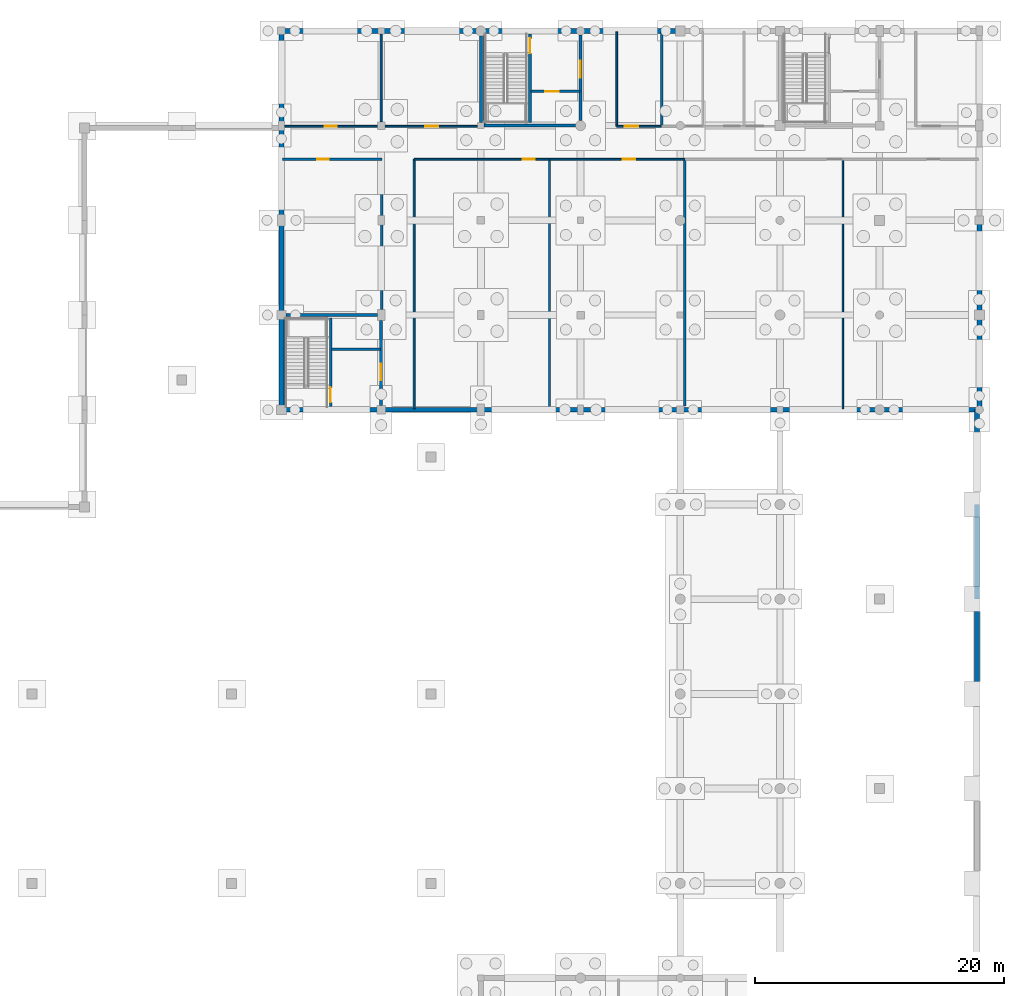
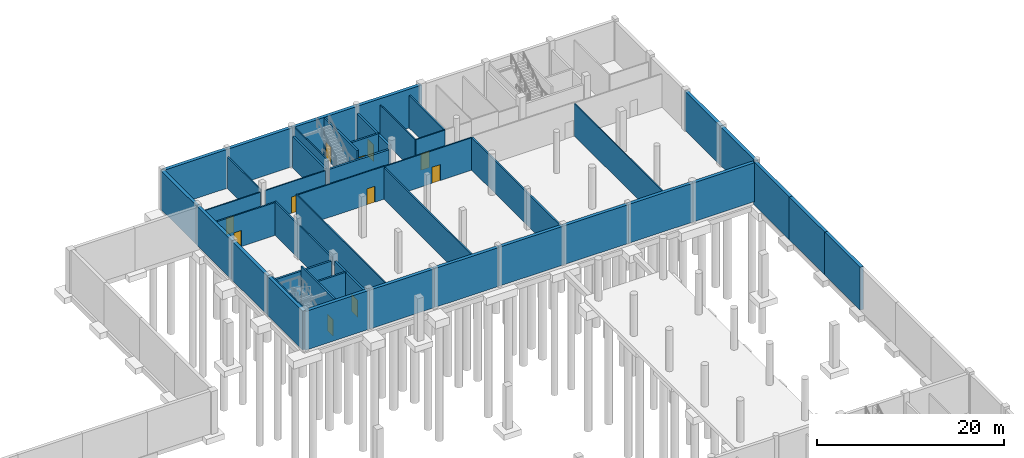
# One storey, part 31 of 44: 45 walls, 11 doors, 11 openings.
"""IFC4 building model written with IfcOpenShell, lengths in metres."""

from ifc_helpers import new_model, si_unit, direction, frame, frame_2d, origin, place, context, subcontext, project, spatial, rectangle, extrude, material, layer, layer_set, type_object, element, fill, save


model = new_model("IFC4")

# Units and contexts
model_context = context("Model", 3, precision=1e-05, world=origin(), true_north=direction((0.0, 1.0)))
body_context = subcontext(model_context, "Body", "Model", "MODEL_VIEW")
ifc_project = project(units=[si_unit("LENGTHUNIT", "METRE"), si_unit("AREAUNIT", "SQUARE_METRE"), si_unit("VOLUMEUNIT", "CUBIC_METRE"), si_unit("PLANEANGLEUNIT", "RADIAN"), si_unit("MASSUNIT", "GRAM", prefix="KILO")], contexts=[model_context])

# Site, building, storey
site_placement = place(None, origin())
site = spatial("IfcSite", under=ifc_project, at=site_placement, CompositionType="ELEMENT")
building_placement = place(site_placement, origin())
building = spatial("IfcBuilding", under=site, at=building_placement, Name="Khelvaren Railside Concert Hall", CompositionType="ELEMENT")
storey_placement = place(building_placement, frame((0.0, 0.0, -5.39990234375)))
storey = spatial("IfcBuildingStorey", under=building, at=storey_placement, Name="B1", CompositionType="ELEMENT", Elevation=-5.39990234375)

# Walls
ifc_material_1 = material(Name="Concrete C40/50", Category="concrete")
ifc_layer_1 = layer(ifc_material_1, 0.139892578125)
ifc_layer_set_1 = layer_set([ifc_layer_1], Name="Concrete C40/50")
wall_type_1 = type_object("IfcWallType", Name="CW17", PredefinedType="SOLIDWALL", material=ifc_layer_set_1)
for number, where, z_axis, x_axis, name in (
    (1, (144.27490234375, 106.550048828125, 0.0), (0.0, 0.0, 1.0), (0.0, 1.0, 0.0), "Core Shaft Structural Liner Wall ST-09-B1"),
    (2, (128.27490234375, 83.75, 0.0), (0.0, 0.0, 1.0), (0.0, 1.0, 0.0), "Core Shaft Structural Liner Wall ST-12-B1"),
):
    element("IfcWall", number, at=place(storey_placement, frame(where, z_axis=z_axis, x_axis=x_axis)), inside=storey, type_object=wall_type_1, Name=name, PredefinedType="SOLIDWALL", context=body_context, shape_type="SweptSolid", body=[
        extrude(rectangle(XDim=7.300048828125, YDim=0.139892578125, at=frame_2d((3.64990234375, 0.0))), origin(), (0.0, 0.0, 1.0), 5.079833984375),
    ])
ifc_layer_2 = layer(ifc_material_1, 0.25)
ifc_layer_set_2 = layer_set([ifc_layer_2], Name="Concrete C40/50")
wall_type_2 = type_object("IfcWallType", Name="CW82", PredefinedType="SOLIDWALL", material=ifc_layer_set_2)
wall_1_placement = place(storey_placement, frame((144.0, 106.64990234375, 0.0), z_axis=(0.0, 0.0, 1.0), x_axis=(0.0, 1.0, 0.0)))
element("IfcWall", 3, at=wall_1_placement, inside=storey, type_object=wall_type_2, Name="Core Enclosure Wall CWALL-ST-09-B1-W", PredefinedType="SOLIDWALL", context=body_context, shape_type="SweptSolid", body=[
    extrude(rectangle(XDim=6.9501953125, YDim=0.25, at=frame_2d((3.47509765625, 0.0))), origin(), (0.0, 0.0, 1.0), 4.119873046875),
])
wall_2_placement = place(storey_placement, frame((144.25, 106.39990234375, 0.0), z_axis=(0.0, 0.0, 1.0), x_axis=(1.0, 0.0, 0.0)))
element("IfcWall", 4, at=wall_2_placement, inside=storey, type_object=wall_type_2, Name="Core Enclosure Wall CWALL-ST-09-B1-S", PredefinedType="SOLIDWALL", context=body_context, shape_type="SweptSolid", body=[
    extrude(rectangle(XDim=7.35009765625, YDim=0.25, at=frame_2d((3.675048828125, 0.0))), origin(), (0.0, 0.0, 1.0), 4.119873046875),
])

# Wall, opening, door
wall_3_placement = place(storey_placement, frame((152.0, 106.800048828125, 0.0), z_axis=(0.0, 0.0, 1.0), x_axis=(0.0, 1.0, 0.0)))
wall_3 = element("IfcWall", 5, at=wall_3_placement, inside=storey, type_object=wall_type_2, Name="Core Enclosure Wall CWALL-ST-09-B1-E", PredefinedType="SOLIDWALL", context=body_context, shape_type="SweptSolid", body=[
    extrude(rectangle(XDim=6.875, YDim=0.25, at=frame_2d((3.4375, 0.0))), origin(), (0.0, 0.0, 1.0), 4.2548828125),
])
opening_1_placement = place(wall_3_placement, frame((3.449951171875, 0.0, 0.0)))
opening_1 = element("IfcOpeningElement", 6, at=opening_1_placement, cuts=wall_3, Name="Opening FDR34", PredefinedType="OPENING", context=body_context, shape_type="SweptSolid", body=[
    extrude(rectangle(XDim=1.35009765625, YDim=2.199951171875, at=frame_2d((0.675048828125, 1.10009765625))), frame((0.0, 0.135009765625, 0.0), z_axis=(0.0, -1.0, 0.0), x_axis=(1.0, 0.0, 0.0)), (0.0, 0.0, 1.0), 0.27001953125),
])
ifc_material_2 = material(Name="Acoustic fire-rated timber-core steel frame door", Category="steel")
door_type_1 = type_object("IfcDoorType", Name="FDR34", OperationType="NOTDEFINED", PredefinedType="DOOR", material=ifc_material_2)
door_1_placement = place(opening_1_placement, origin())
door_1 = element("IfcDoor", 7, at=door_1_placement, inside=storey, type_object=door_type_1, Name="Interior Door DR-ST-09-B1-LOB", OperationType="SINGLE_SWING_LEFT", OverallHeight=2.199951171875, OverallWidth=1.35009765625, PredefinedType="DOOR", context=body_context, shape_type="SweptSolid", body=[
    extrude(rectangle(XDim=1.35009765625, YDim=2.199951171875, at=frame_2d((0.675048828125, 1.10009765625))), frame((0.0, 0.02490234375, 0.0), z_axis=(0.0, -1.0, 0.0), x_axis=(1.0, 0.0, 0.0)), (0.0, 0.0, 1.0), 0.050048828125),
])
fill(opening_1, door_1)

# Wall
wall_4_placement = place(storey_placement, frame((128.35009765625, 91.199951171875, 0.0), z_axis=(0.0, 0.0, 1.0), x_axis=(1.0, 0.0, 0.0)))
element("IfcWall", 8, at=wall_4_placement, inside=storey, type_object=wall_type_2, Name="Core Enclosure Wall CWALL-ST-12-B1-N", PredefinedType="SOLIDWALL", context=body_context, shape_type="SweptSolid", body=[
    extrude(rectangle(XDim=7.349853515625, YDim=0.25, at=frame_2d((3.6748046875, 0.0))), origin(), (0.0, 0.0, 1.0), 4.329833984375),
])

# Wall, opening, door
wall_5_placement = place(storey_placement, frame((136.0, 83.949951171875, 0.0), z_axis=(0.0, 0.0, 1.0), x_axis=(0.0, 1.0, 0.0)))
wall_5 = element("IfcWall", 9, at=wall_5_placement, inside=storey, type_object=wall_type_2, Name="Core Enclosure Wall CWALL-ST-12-B1-E", PredefinedType="SOLIDWALL", context=body_context, shape_type="SweptSolid", body=[
    extrude(rectangle(XDim=6.800048828125, YDim=0.25, at=frame_2d((3.39990234375, 0.0))), origin(), (0.0, 0.0, 1.0), 4.449951171875),
])
opening_2_placement = place(wall_5_placement, frame((2.0, 0.0, 0.0)))
opening_2 = element("IfcOpeningElement", 10, at=opening_2_placement, cuts=wall_5, Name="Opening FDR34", PredefinedType="OPENING", context=body_context, shape_type="SweptSolid", body=[
    extrude(rectangle(XDim=1.35009765625, YDim=2.199951171875, at=frame_2d((0.675048828125, 1.10009765625))), frame((0.0, 0.135009765625, 0.0), z_axis=(0.0, -1.0, 0.0), x_axis=(1.0, 0.0, 0.0)), (0.0, 0.0, 1.0), 0.27001953125),
])
door_2_placement = place(opening_2_placement, origin())
door_2 = element("IfcDoor", 11, at=door_2_placement, inside=storey, type_object=door_type_1, Name="Interior Door DR-ST-12-B1-LOB", OperationType="SINGLE_SWING_LEFT", OverallHeight=2.199951171875, OverallWidth=1.35009765625, PredefinedType="DOOR", context=body_context, shape_type="SweptSolid", body=[
    extrude(rectangle(XDim=1.35009765625, YDim=2.199951171875, at=frame_2d((0.675048828125, 1.10009765625))), frame((0.0, 0.02490234375, 0.0), z_axis=(0.0, -1.0, 0.0), x_axis=(1.0, 0.0, 0.0)), (0.0, 0.0, 1.0), 0.050048828125),
])
fill(opening_2, door_2)

ifc_layer_3 = layer(ifc_material_1, 0.219970703125)
ifc_layer_set_3 = layer_set([ifc_layer_3], Name="Concrete C40/50")
wall_type_3 = type_object("IfcWallType", Name="CW97", PredefinedType="SOLIDWALL", material=ifc_layer_set_3)
wall_6_placement = place(storey_placement, frame((147.949951171875, 106.64990234375, 0.0), z_axis=(0.0, 0.0, 1.0), x_axis=(0.0, 1.0, 0.0)))
wall_6 = element("IfcWall", 12, at=wall_6_placement, inside=storey, type_object=wall_type_3, Name="Core Enclosure Wall CWALL-ST-09-B1-MID", PredefinedType="SOLIDWALL", context=body_context, shape_type="SweptSolid", body=[
    extrude(rectangle(XDim=7.10009765625, YDim=0.219970703125, at=frame_2d((3.550048828125, 0.0))), origin(), (0.0, 0.0, 1.0), 5.079833984375),
])
opening_3_placement = place(wall_6_placement, frame((5.550048828125, 0.0, 0.0)))
opening_3 = element("IfcOpeningElement", 13, at=opening_3_placement, cuts=wall_6, Name="Opening FDR17", PredefinedType="OPENING", context=body_context, shape_type="SweptSolid", body=[
    extrude(rectangle(XDim=1.199951171875, YDim=2.14990234375, at=frame_2d((0.60009765625, 1.074951171875))), frame((0.0, 0.119873046875, 0.0), z_axis=(0.0, -1.0, 0.0), x_axis=(1.0, 0.0, 0.0)), (0.0, 0.0, 1.0), 0.239990234375),
])
door_type_2 = type_object("IfcDoorType", Name="FDR17", OperationType="NOTDEFINED", PredefinedType="DOOR", material=ifc_material_2)
door_3_placement = place(opening_3_placement, origin())
door_3 = element("IfcDoor", 14, at=door_3_placement, inside=storey, type_object=door_type_2, Name="Interior Door DR-ST-09-B1-ST", OperationType="SINGLE_SWING_RIGHT", OverallHeight=2.14990234375, OverallWidth=1.199951171875, PredefinedType="DOOR", context=body_context, shape_type="SweptSolid", body=[
    extrude(rectangle(XDim=1.199951171875, YDim=2.14990234375, at=frame_2d((0.60009765625, 1.074951171875))), frame((0.0, 0.02490234375, 0.0), z_axis=(0.0, -1.0, 0.0), x_axis=(1.0, 0.0, 0.0)), (0.0, 0.0, 1.0), 0.050048828125),
])
fill(opening_3, door_3)

wall_7_placement = place(storey_placement, frame((148.02001953125, 109.14990234375, 0.0), z_axis=(0.0, 0.0, 1.0), x_axis=(1.0, 0.0, 0.0)))
wall_7 = element("IfcWall", 15, at=wall_7_placement, inside=storey, type_object=wall_type_3, Name="Core Enclosure Wall CWALL-ST-09-B1-SHF", PredefinedType="SOLIDWALL", context=body_context, shape_type="SweptSolid", body=[
    extrude(rectangle(XDim=3.929931640625, YDim=0.219970703125, at=frame_2d((1.96484375, 0.0))), origin(), (0.0, 0.0, 1.0), 4.429931640625),
])
opening_4_placement = place(wall_7_placement, frame((1.14990234375, 0.0, 0.0)))
opening_4 = element("IfcOpeningElement", 16, at=opening_4_placement, cuts=wall_7, Name="Opening LD-FL-02", PredefinedType="OPENING", context=body_context, shape_type="SweptSolid", body=[
    extrude(rectangle(XDim=1.10009765625, YDim=2.199951171875, at=frame_2d((0.550048828125, 1.10009765625))), frame((0.0, 0.119873046875, 0.0), z_axis=(0.0, -1.0, 0.0), x_axis=(1.0, 0.0, 0.0)), (0.0, 0.0, 1.0), 0.239990234375),
])
ifc_material_3 = material(Name="Fire-rated brushed stainless steel landing door", Category="steel")
door_type_3 = type_object("IfcDoorType", Name="LD96", OperationType="DOUBLE_DOOR_SLIDING", PredefinedType="DOOR", material=ifc_material_3)
door_4_placement = place(opening_4_placement, origin())
door_4 = element("IfcDoor", 17, at=door_4_placement, inside=storey, type_object=door_type_3, Name="Lift Landing Door LD-FL-02-B1", OperationType="DOUBLE_DOOR_SLIDING", OverallHeight=2.199951171875, OverallWidth=1.10009765625, PredefinedType="DOOR", context=body_context, shape_type="SweptSolid", body=[
    extrude(rectangle(XDim=1.10009765625, YDim=2.199951171875, at=frame_2d((0.550048828125, 1.10009765625))), frame((0.0, 0.02490234375, 0.0), z_axis=(0.0, -1.0, 0.0), x_axis=(1.0, 0.0, 0.0)), (0.0, 0.0, 1.0), 0.050048828125),
])
fill(opening_4, door_4)

wall_8_placement = place(storey_placement, frame((131.949951171875, 83.85009765625, 0.0), z_axis=(0.0, 0.0, 1.0), x_axis=(0.0, 1.0, 0.0)))
wall_8 = element("IfcWall", 18, at=wall_8_placement, inside=storey, type_object=wall_type_3, Name="Core Enclosure Wall CWALL-ST-12-B1-MID", PredefinedType="SOLIDWALL", context=body_context, shape_type="SweptSolid", body=[
    extrude(rectangle(XDim=7.099853515625, YDim=0.219970703125, at=frame_2d((3.5498046875, 0.0))), origin(), (0.0, 0.0, 1.0), 5.079833984375),
])
opening_5_placement = place(wall_8_placement, frame((0.35009765625, 0.0, 0.0)))
opening_5 = element("IfcOpeningElement", 19, at=opening_5_placement, cuts=wall_8, Name="Opening FDR17", PredefinedType="OPENING", context=body_context, shape_type="SweptSolid", body=[
    extrude(rectangle(XDim=1.199951171875, YDim=2.14990234375, at=frame_2d((0.60009765625, 1.074951171875))), frame((0.0, 0.119873046875, 0.0), z_axis=(0.0, -1.0, 0.0), x_axis=(1.0, 0.0, 0.0)), (0.0, 0.0, 1.0), 0.239990234375),
])
door_5_placement = place(opening_5_placement, origin())
door_5 = element("IfcDoor", 20, at=door_5_placement, inside=storey, type_object=door_type_2, Name="Interior Door DR-ST-12-B1-ST", OperationType="SINGLE_SWING_RIGHT", OverallHeight=2.14990234375, OverallWidth=1.199951171875, PredefinedType="DOOR", context=body_context, shape_type="SweptSolid", body=[
    extrude(rectangle(XDim=1.199951171875, YDim=2.14990234375, at=frame_2d((0.60009765625, 1.074951171875))), frame((0.0, 0.02490234375, 0.0), z_axis=(0.0, -1.0, 0.0), x_axis=(1.0, 0.0, 0.0)), (0.0, 0.0, 1.0), 0.050048828125),
])
fill(opening_5, door_5)

# Walls
wall_9_placement = place(storey_placement, frame((132.02001953125, 88.449951171875, 0.0), z_axis=(0.0, 0.0, 1.0), x_axis=(1.0, 0.0, 0.0)))
element("IfcWall", 21, at=wall_9_placement, inside=storey, type_object=wall_type_3, Name="Core Enclosure Wall CWALL-ST-12-B1-SHF", PredefinedType="SOLIDWALL", context=body_context, shape_type="SweptSolid", body=[
    extrude(rectangle(XDim=3.929931640625, YDim=0.219970703125, at=frame_2d((1.96484375, 0.0))), origin(), (0.0, 0.0, 1.0), 4.454833984375),
])
ifc_material_4 = material(Name="Acoustic double-stud gypsum partition", Category="gypsum")
ifc_layer_4 = layer(ifc_material_4, 0.18994140625)
ifc_layer_set_4 = layer_set([ifc_layer_4], Name="Acoustic double-stud gypsum partition")
wall_type_4 = type_object("IfcWallType", Name="PT17", PredefinedType="PARTITIONING", material=ifc_layer_set_4)
wall_10_placement = place(storey_placement, frame((158.506103515625, 106.35009765625, 0.0), z_axis=(0.0, 0.0, 1.0), x_axis=(0.0, 1.0, 0.0)))
element("IfcWall", 22, at=wall_10_placement, inside=storey, type_object=wall_type_4, Name="Acoustic Partition Wall PW-V5-B1-N-D01", PredefinedType="PARTITIONING", context=body_context, shape_type="SweptSolid", body=[
    extrude(rectangle(XDim=7.56982421875, YDim=0.18994140625, at=frame_2d((3.784912109375, 0.0))), origin(), (0.0, 0.0, 1.0), 4.2548828125),
])

# Wall, opening, door
ifc_layer_5 = layer(ifc_material_4, 0.179931640625)
ifc_layer_set_5 = layer_set([ifc_layer_5], Name="Acoustic double-stud gypsum partition")
wall_type_5 = type_object("IfcWallType", Name="PT40", PredefinedType="PARTITIONING", material=ifc_layer_set_5)
wall_11_placement = place(storey_placement, frame((128.080078125, 103.699951171875, 0.0), z_axis=(0.0, 0.0, 1.0), x_axis=(1.0, 0.0, 0.0)))
wall_11 = element("IfcWall", 23, at=wall_11_placement, inside=storey, type_object=wall_type_5, Name="Acoustic Partition Wall PW-V5-B1-DOCKDN-N", PredefinedType="PARTITIONING", context=body_context, shape_type="SweptSolid", body=[
    extrude(rectangle(XDim=7.969970703125, YDim=0.179931640625, at=frame_2d((3.98486328125, 0.0))), origin(), (0.0, 0.0, 1.0), 4.304931640625),
])
opening_6_placement = place(wall_11_placement, frame((2.800048828125, 0.0, 0.0)))
opening_6 = element("IfcOpeningElement", 24, at=opening_6_placement, cuts=wall_11, Name="Opening IDR51", PredefinedType="OPENING", context=body_context, shape_type="SweptSolid", body=[
    extrude(rectangle(XDim=0.89990234375, YDim=2.10009765625, at=frame_2d((0.449951171875, 1.050048828125))), frame((0.0, 0.099853515625, 0.0), z_axis=(0.0, -1.0, 0.0), x_axis=(1.0, 0.0, 0.0)), (0.0, 0.0, 1.0), 0.199951171875),
])
ifc_material_5 = material(Name="Solid oak acoustic studio door", Category="wood")
door_type_4 = type_object("IfcDoorType", Name="IDR51", OperationType="NOTDEFINED", PredefinedType="DOOR", material=ifc_material_5)
door_6_placement = place(opening_6_placement, origin())
door_6 = element("IfcDoor", 25, at=door_6_placement, inside=storey, type_object=door_type_4, Name="Interior Door DR-V5-B1-DOCKDN", OperationType="SINGLE_SWING_RIGHT", OverallHeight=2.10009765625, OverallWidth=0.89990234375, PredefinedType="DOOR", context=body_context, shape_type="SweptSolid", body=[
    extrude(rectangle(XDim=0.89990234375, YDim=2.10009765625, at=frame_2d((0.449951171875, 1.050048828125))), frame((0.0, 0.02490234375, 0.0), z_axis=(0.0, -1.0, 0.0), x_axis=(1.0, 0.0, 0.0)), (0.0, 0.0, 1.0), 0.050048828125),
])
fill(opening_6, door_6)

# Walls
wall_12_placement = place(storey_placement, frame((136.050048828125, 91.64990234375, 0.0), z_axis=(0.0, 0.0, 1.0), x_axis=(0.0, 1.0, 0.0)))
element("IfcWall", 26, at=wall_12_placement, inside=storey, type_object=wall_type_5, Name="Acoustic Partition Wall PW-V5-B1-DOCKDN-E", PredefinedType="PARTITIONING", context=body_context, shape_type="SweptSolid", body=[
    extrude(rectangle(XDim=12.050048828125, YDim=0.179931640625, at=frame_2d((6.02490234375, 0.0))), origin(), (0.0, 0.0, 1.0), 4.409912109375),
])
ifc_layer_6 = layer(ifc_material_4, 0.179931640625)
ifc_layer_set_6 = layer_set([ifc_layer_6], Name="Acoustic double-stud gypsum partition")
wall_type_6 = type_object("IfcWallType", Name="PT53", PredefinedType="PARTITIONING", material=ifc_layer_set_6)
wall_13_placement = place(storey_placement, frame((149.514892578125, 83.679931640625, 0.0), z_axis=(0.0, 0.0, 1.0), x_axis=(0.0, 1.0, 0.0)))
element("IfcWall", 27, at=wall_13_placement, inside=storey, type_object=wall_type_6, Name="Acoustic Partition Wall PW-V5-B1-S-D01", PredefinedType="PARTITIONING", context=body_context, shape_type="SweptSolid", body=[
    extrude(rectangle(XDim=20.02001953125, YDim=0.179931640625, at=frame_2d((10.010009765625, 0.0))), origin(), (0.0, 0.0, 1.0), 4.119873046875),
])

# Wall, opening, door
ifc_layer_7 = layer(ifc_material_4, 0.139892578125)
ifc_layer_set_7 = layer_set([ifc_layer_7], Name="Acoustic double-stud gypsum partition")
wall_type_7 = type_object("IfcWallType", Name="PT55", PredefinedType="PARTITIONING", material=ifc_layer_set_7)
wall_14_placement = place(storey_placement, frame((128.25, 106.35009765625, 0.0), z_axis=(0.0, 0.0, 1.0), x_axis=(1.0, 0.0, 0.0)))
wall_14 = element("IfcWall", 28, at=wall_14_placement, inside=storey, type_object=wall_type_7, Name="Acoustic Partition Wall PW-V5-B1-NW-C01", PredefinedType="PARTITIONING", context=body_context, shape_type="SweptSolid", body=[
    extrude(rectangle(XDim=7.449951171875, YDim=0.139892578125, at=frame_2d((3.72509765625, 0.0))), origin(), (0.0, 0.0, 1.0), 4.119873046875),
])
opening_7_placement = place(wall_14_placement, frame((3.22509765625, 0.0, 0.0)))
opening_7 = element("IfcOpeningElement", 29, at=opening_7_placement, cuts=wall_14, Name="Opening IDR67", PredefinedType="OPENING", context=body_context, shape_type="SweptSolid", body=[
    extrude(rectangle(XDim=0.97998046875, YDim=2.14990234375, at=frame_2d((0.489990234375, 1.074951171875))), frame((0.0, 0.079833984375, 0.0), z_axis=(0.0, -1.0, 0.0), x_axis=(1.0, 0.0, 0.0)), (0.0, 0.0, 1.0), 0.159912109375),
])
door_type_5 = type_object("IfcDoorType", Name="IDR67", OperationType="NOTDEFINED", PredefinedType="DOOR", material=ifc_material_5)
door_7_placement = place(opening_7_placement, origin())
door_7 = element("IfcDoor", 30, at=door_7_placement, inside=storey, type_object=door_type_5, Name="Interior Door DR-V5-B1-NW-01", OperationType="SINGLE_SWING_LEFT", OverallHeight=2.14990234375, OverallWidth=0.97998046875, PredefinedType="DOOR", context=body_context, shape_type="SweptSolid", body=[
    extrude(rectangle(XDim=0.97998046875, YDim=2.14990234375, at=frame_2d((0.489990234375, 1.074951171875))), frame((0.0, 0.02490234375, 0.0), z_axis=(0.0, -1.0, 0.0), x_axis=(1.0, 0.0, 0.0)), (0.0, 0.0, 1.0), 0.050048828125),
])
fill(opening_7, door_7)

wall_15_placement = place(storey_placement, frame((136.300048828125, 106.35009765625, 0.0), z_axis=(0.0, 0.0, 1.0), x_axis=(1.0, 0.0, 0.0)))
wall_15 = element("IfcWall", 31, at=wall_15_placement, inside=storey, type_object=wall_type_7, Name="Acoustic Partition Wall PW-V5-B1-NW-C02", PredefinedType="PARTITIONING", context=body_context, shape_type="SweptSolid", body=[
    extrude(rectangle(XDim=7.449951171875, YDim=0.139892578125, at=frame_2d((3.72509765625, 0.0))), origin(), (0.0, 0.0, 1.0), 4.119873046875),
])
opening_8_placement = place(wall_15_placement, frame((3.22509765625, 0.0, 0.0)))
opening_8 = element("IfcOpeningElement", 32, at=opening_8_placement, cuts=wall_15, Name="Opening IDR24", PredefinedType="OPENING", context=body_context, shape_type="SweptSolid", body=[
    extrude(rectangle(XDim=1.0400390625, YDim=2.14990234375, at=frame_2d((0.52001953125, 1.074951171875))), frame((0.0, 0.079833984375, 0.0), z_axis=(0.0, -1.0, 0.0), x_axis=(1.0, 0.0, 0.0)), (0.0, 0.0, 1.0), 0.159912109375),
])
door_type_6 = type_object("IfcDoorType", Name="IDR24", OperationType="NOTDEFINED", PredefinedType="DOOR", material=ifc_material_5)
door_8_placement = place(opening_8_placement, origin())
door_8 = element("IfcDoor", 33, at=door_8_placement, inside=storey, type_object=door_type_6, Name="Interior Door DR-V5-B1-NW-02", OperationType="SINGLE_SWING_RIGHT", OverallHeight=2.14990234375, OverallWidth=1.0400390625, PredefinedType="DOOR", context=body_context, shape_type="SweptSolid", body=[
    extrude(rectangle(XDim=1.0400390625, YDim=2.14990234375, at=frame_2d((0.52001953125, 1.074951171875))), frame((0.0, 0.02490234375, 0.0), z_axis=(0.0, -1.0, 0.0), x_axis=(1.0, 0.0, 0.0)), (0.0, 0.0, 1.0), 0.050048828125),
])
fill(opening_8, door_8)

wall_16_placement = place(storey_placement, frame((154.89990234375, 106.35009765625, 0.0), z_axis=(0.0, 0.0, 1.0), x_axis=(1.0, 0.0, 0.0)))
wall_16 = element("IfcWall", 34, at=wall_16_placement, inside=storey, type_object=wall_type_7, Name="Acoustic Partition Wall PW-V5-B1-N-C01", PredefinedType="PARTITIONING", context=body_context, shape_type="SweptSolid", body=[
    extrude(rectangle(XDim=3.606201171875, YDim=0.139892578125, at=frame_2d((1.80322265625, 0.0))), origin(), (0.0, 0.0, 1.0), 4.2548828125),
])
opening_9_placement = place(wall_16_placement, frame((0.6533203125, 0.0, 0.0)))
opening_9 = element("IfcOpeningElement", 35, at=opening_9_placement, cuts=wall_16, Name="Opening IDR62", PredefinedType="OPENING", context=body_context, shape_type="SweptSolid", body=[
    extrude(rectangle(XDim=1.070068359375, YDim=2.14990234375, at=frame_2d((0.53515625, 1.074951171875))), frame((0.0, 0.079833984375, 0.0), z_axis=(0.0, -1.0, 0.0), x_axis=(1.0, 0.0, 0.0)), (0.0, 0.0, 1.0), 0.159912109375),
])
door_type_7 = type_object("IfcDoorType", Name="IDR62", OperationType="NOTDEFINED", PredefinedType="DOOR", material=ifc_material_5)
door_9_placement = place(opening_9_placement, origin())
door_9 = element("IfcDoor", 36, at=door_9_placement, inside=storey, type_object=door_type_7, Name="Interior Door DR-V5-B1-N-01", OperationType="SINGLE_SWING_LEFT", OverallHeight=2.14990234375, OverallWidth=1.070068359375, PredefinedType="DOOR", context=body_context, shape_type="SweptSolid", body=[
    extrude(rectangle(XDim=1.070068359375, YDim=2.14990234375, at=frame_2d((0.53515625, 1.074951171875))), frame((0.0, 0.02490234375, 0.0), z_axis=(0.0, -1.0, 0.0), x_axis=(1.0, 0.0, 0.0)), (0.0, 0.0, 1.0), 0.050048828125),
])
fill(opening_9, door_9)

# Wall
wall_17_placement = place(storey_placement, frame((154.89990234375, 106.35009765625, 0.0), z_axis=(0.0, 0.0, 1.0), x_axis=(0.0, 1.0, 0.0)))
element("IfcWall", 37, at=wall_17_placement, inside=storey, type_object=wall_type_7, Name="Acoustic Partition Wall PW-V5-B1-N-W0", PredefinedType="PARTITIONING", context=body_context, shape_type="SweptSolid", body=[
    extrude(rectangle(XDim=7.56982421875, YDim=0.139892578125, at=frame_2d((3.784912109375, 0.0))), origin(), (0.0, 0.0, 1.0), 4.2548828125),
])

# Wall, opening, door
ifc_layer_8 = layer(ifc_material_4, 0.14990234375)
ifc_layer_set_8 = layer_set([ifc_layer_8], Name="Acoustic double-stud gypsum partition")
wall_type_8 = type_object("IfcWallType", Name="PT72", PredefinedType="PARTITIONING", material=ifc_layer_set_8)
wall_18_placement = place(storey_placement, frame((138.64990234375, 103.699951171875, 0.0), z_axis=(0.0, 0.0, 1.0), x_axis=(1.0, 0.0, 0.0)))
wall_18 = element("IfcWall", 38, at=wall_18_placement, inside=storey, type_object=wall_type_8, Name="Acoustic Partition Wall PW-V5-B1-S-C01", PredefinedType="PARTITIONING", context=body_context, shape_type="SweptSolid", body=[
    extrude(rectangle(XDim=10.864990234375, YDim=0.14990234375, at=frame_2d((5.4326171875, 0.0))), origin(), (0.0, 0.0, 1.0), 4.304931640625),
])
opening_10_placement = place(wall_18_placement, frame((8.702392578125, 0.0, 0.0)))
opening_10 = element("IfcOpeningElement", 39, at=opening_10_placement, cuts=wall_18, Name="Opening IDR22", PredefinedType="OPENING", context=body_context, shape_type="SweptSolid", body=[
    extrude(rectangle(XDim=0.9599609375, YDim=2.10009765625, at=frame_2d((0.47998046875, 1.050048828125))), frame((0.0, 0.0849609375, 0.0), z_axis=(0.0, -1.0, 0.0), x_axis=(1.0, 0.0, 0.0)), (0.0, 0.0, 1.0), 0.169921875),
])
door_type_8 = type_object("IfcDoorType", Name="IDR22", OperationType="NOTDEFINED", PredefinedType="DOOR", material=ifc_material_5)
door_10_placement = place(opening_10_placement, origin())
door_10 = element("IfcDoor", 40, at=door_10_placement, inside=storey, type_object=door_type_8, Name="Interior Door DR-V5-B1-S-01", OperationType="SINGLE_SWING_LEFT", OverallHeight=2.10009765625, OverallWidth=0.9599609375, PredefinedType="DOOR", context=body_context, shape_type="SweptSolid", body=[
    extrude(rectangle(XDim=0.9599609375, YDim=2.10009765625, at=frame_2d((0.47998046875, 1.050048828125))), frame((0.0, 0.02490234375, 0.0), z_axis=(0.0, -1.0, 0.0), x_axis=(1.0, 0.0, 0.0)), (0.0, 0.0, 1.0), 0.050048828125),
])
fill(opening_10, door_10)

wall_19_placement = place(storey_placement, frame((149.514892578125, 103.699951171875, 0.0), z_axis=(0.0, 0.0, 1.0), x_axis=(1.0, 0.0, 0.0)))
wall_19 = element("IfcWall", 41, at=wall_19_placement, inside=storey, type_object=wall_type_8, Name="Acoustic Partition Wall PW-V5-B1-S-C02", PredefinedType="PARTITIONING", context=body_context, shape_type="SweptSolid", body=[
    extrude(rectangle(XDim=10.864990234375, YDim=0.14990234375, at=frame_2d((5.4326171875, 0.0))), origin(), (0.0, 0.0, 1.0), 4.2548828125),
])
opening_11_placement = place(wall_19_placement, frame((5.875, 0.0, 0.0)))
opening_11 = element("IfcOpeningElement", 42, at=opening_11_placement, cuts=wall_19, Name="Opening IDR87", PredefinedType="OPENING", context=body_context, shape_type="SweptSolid", body=[
    extrude(rectangle(XDim=1.02001953125, YDim=2.10009765625, at=frame_2d((0.510009765625, 1.050048828125))), frame((0.0, 0.0849609375, 0.0), z_axis=(0.0, -1.0, 0.0), x_axis=(1.0, 0.0, 0.0)), (0.0, 0.0, 1.0), 0.169921875),
])
door_type_9 = type_object("IfcDoorType", Name="IDR87", OperationType="NOTDEFINED", PredefinedType="DOOR", material=ifc_material_5)
door_11_placement = place(opening_11_placement, origin())
door_11 = element("IfcDoor", 43, at=door_11_placement, inside=storey, type_object=door_type_9, Name="Interior Door DR-V5-B1-S-02", OperationType="SINGLE_SWING_RIGHT", OverallHeight=2.10009765625, OverallWidth=1.02001953125, PredefinedType="DOOR", context=body_context, shape_type="SweptSolid", body=[
    extrude(rectangle(XDim=1.02001953125, YDim=2.10009765625, at=frame_2d((0.510009765625, 1.050048828125))), frame((0.0, 0.02490234375, 0.0), z_axis=(0.0, -1.0, 0.0), x_axis=(1.0, 0.0, 0.0)), (0.0, 0.0, 1.0), 0.050048828125),
])
fill(opening_11, door_11)

# Walls
wall_20_placement = place(storey_placement, frame((138.64990234375, 83.679931640625, 0.0), z_axis=(0.0, 0.0, 1.0), x_axis=(0.0, 1.0, 0.0)))
element("IfcWall", 44, at=wall_20_placement, inside=storey, type_object=wall_type_8, Name="Acoustic Partition Wall PW-V5-B1-S-W0", PredefinedType="PARTITIONING", context=body_context, shape_type="SweptSolid", body=[
    extrude(rectangle(XDim=20.02001953125, YDim=0.14990234375, at=frame_2d((10.010009765625, 0.0))), origin(), (0.0, 0.0, 1.0), 4.434814453125),
])
ifc_layer_9 = layer(ifc_material_4, 0.1201171875)
ifc_layer_set_9 = layer_set([ifc_layer_9], Name="Acoustic double-stud gypsum partition")
wall_type_9 = type_object("IfcWallType", Name="PT74", PredefinedType="PARTITIONING", material=ifc_layer_set_9)
wall_21_placement = place(storey_placement, frame((173.055908203125, 83.679931640625, 0.0), z_axis=(0.0, 0.0, 1.0), x_axis=(0.0, 1.0, 0.0)))
element("IfcWall", 45, at=wall_21_placement, inside=storey, type_object=wall_type_9, Name="Acoustic Partition Wall PW-V5-B1-S-D03", PredefinedType="PARTITIONING", context=body_context, shape_type="SweptSolid", body=[
    extrude(rectangle(XDim=20.02001953125, YDim=0.1201171875, at=frame_2d((10.010009765625, 0.0))), origin(), (0.0, 0.0, 1.0), 4.2548828125),
])
ifc_layer_10 = layer(ifc_material_4, 0.199951171875)
ifc_layer_set_10 = layer_set([ifc_layer_10], Name="Acoustic double-stud gypsum partition")
wall_type_10 = type_object("IfcWallType", Name="PT75", PredefinedType="PARTITIONING", material=ifc_layer_set_10)
wall_22_placement = place(storey_placement, frame((160.3798828125, 83.89990234375, 0.0), z_axis=(0.0, 0.0, 1.0), x_axis=(0.0, 1.0, 0.0)))
element("IfcWall", 46, at=wall_22_placement, inside=storey, type_object=wall_type_10, Name="Acoustic Partition Wall PW-V5-B1-S-D02", PredefinedType="PARTITIONING", context=body_context, shape_type="SweptSolid", body=[
    extrude(rectangle(XDim=19.800048828125, YDim=0.199951171875, at=frame_2d((9.89990234375, 0.0))), origin(), (0.0, 0.0, 1.0), 4.2548828125),
])
ifc_layer_11 = layer(ifc_material_4, 0.159912109375)
ifc_layer_set_11 = layer_set([ifc_layer_11], Name="Acoustic double-stud gypsum partition")
wall_type_11 = type_object("IfcWallType", Name="PT97", PredefinedType="PARTITIONING", material=ifc_layer_set_11)
wall_23_placement = place(storey_placement, frame((136.0, 106.699951171875, 0.0), z_axis=(0.0, 0.0, 1.0), x_axis=(0.0, 1.0, 0.0)))
element("IfcWall", 47, at=wall_23_placement, inside=storey, type_object=wall_type_11, Name="Acoustic Partition Wall PW-V5-B1-NW-D01", PredefinedType="PARTITIONING", context=body_context, shape_type="SweptSolid", body=[
    extrude(rectangle(XDim=7.050048828125, YDim=0.159912109375, at=frame_2d((3.52490234375, 0.0))), origin(), (0.0, 0.0, 1.0), 4.119873046875),
])
ifc_layer_12 = layer(ifc_material_1, 0.39990234375)
ifc_layer_set_12 = layer_set([ifc_layer_12], Name="Concrete C40/50")
wall_type_12 = type_object("IfcWallType", Name="RW96", PredefinedType="USERDEFINED", material=ifc_layer_set_12)
for number, where, z_axis, x_axis, name in (
    (48, (128.0, 83.60009765625, 0.0), (0.0, 0.0, 1.0), (1.0, 0.0, 0.0), "V5 Basement Retaining Wall S01"),
    (49, (136.0, 83.60009765625, 0.0), (0.0, 0.0, 1.0), (1.0, 0.0, 0.0), "V5 Basement Retaining Wall S02"),
    (50, (144.0, 83.60009765625, 0.0), (0.0, 0.0, 1.0), (1.0, 0.0, 0.0), "V5 Basement Retaining Wall S03"),
    (51, (152.0, 83.60009765625, 0.0), (0.0, 0.0, 1.0), (1.0, 0.0, 0.0), "V5 Basement Retaining Wall S04"),
    (52, (160.0, 83.60009765625, 0.0), (0.0, 0.0, 1.0), (1.0, 0.0, 0.0), "V5 Basement Retaining Wall S05"),
    (53, (168.0, 83.60009765625, 0.0), (0.0, 0.0, 1.0), (1.0, 0.0, 0.0), "V5 Basement Retaining Wall S06"),
    (54, (176.0, 83.60009765625, 0.0), (0.0, 0.0, 1.0), (1.0, 0.0, 0.0), "V5 Basement Retaining Wall S07"),
    (55, (136.0, 114.0, 0.0), (0.0, 0.0, 1.0), (-1.0, 0.0, 0.0), "V5 Basement Retaining Wall N01"),
    (56, (144.0, 114.0, 0.0), (0.0, 0.0, 1.0), (-1.0, 0.0, 0.0), "V5 Basement Retaining Wall N02"),
    (57, (152.0, 114.0, 0.0), (0.0, 0.0, 1.0), (-1.0, 0.0, 0.0), "V5 Basement Retaining Wall N03"),
    (58, (160.0, 114.0, 0.0), (0.0, 0.0, 1.0), (-1.0, 0.0, 0.0), "V5 Basement Retaining Wall N04"),
):
    element("IfcWall", number, at=place(storey_placement, frame(where, z_axis=z_axis, x_axis=x_axis)), inside=storey, type_object=wall_type_12, Name=name, ObjectType="RETAINING WALL", PredefinedType="USERDEFINED", context=body_context, shape_type="SweptSolid", body=[
        extrude(rectangle(XDim=8.0, YDim=0.39990234375, at=frame_2d((4.0, 0.0))), origin(), (0.0, 0.0, 1.0), 5.079833984375),
    ])
wall_24_placement = place(storey_placement, frame((128.0, 91.199951171875, 0.0), z_axis=(0.0, 0.0, 1.0), x_axis=(0.0, -1.0, 0.0)))
element("IfcWall", 59, at=wall_24_placement, inside=storey, type_object=wall_type_12, Name="V5 Basement Retaining Wall W01", ObjectType="RETAINING WALL", PredefinedType="USERDEFINED", context=body_context, shape_type="SweptSolid", body=[
    extrude(rectangle(XDim=7.599853515625, YDim=0.39990234375, at=frame_2d((3.7998046875, 0.0))), origin(), (0.0, 0.0, 1.0), 5.079833984375),
])
wall_25_placement = place(storey_placement, frame((128.0, 98.800048828125, 0.0), z_axis=(0.0, 0.0, 1.0), x_axis=(0.0, -1.0, 0.0)))
element("IfcWall", 60, at=wall_25_placement, inside=storey, type_object=wall_type_12, Name="V5 Basement Retaining Wall W02", ObjectType="RETAINING WALL", PredefinedType="USERDEFINED", context=body_context, shape_type="SweptSolid", body=[
    extrude(rectangle(XDim=7.60009765625, YDim=0.39990234375, at=frame_2d((3.800048828125, 0.0))), origin(), (0.0, 0.0, 1.0), 5.079833984375),
])
wall_26_placement = place(storey_placement, frame((128.0, 106.39990234375, 0.0), z_axis=(0.0, 0.0, 1.0), x_axis=(0.0, -1.0, 0.0)))
element("IfcWall", 61, at=wall_26_placement, inside=storey, type_object=wall_type_12, Name="V5 Basement Retaining Wall W03", ObjectType="RETAINING WALL", PredefinedType="USERDEFINED", context=body_context, shape_type="SweptSolid", body=[
    extrude(rectangle(XDim=7.599853515625, YDim=0.39990234375, at=frame_2d((3.7998046875, 0.0))), origin(), (0.0, 0.0, 1.0), 5.079833984375),
])
wall_27_placement = place(storey_placement, frame((128.0, 114.0, 0.0), z_axis=(0.0, 0.0, 1.0), x_axis=(0.0, -1.0, 0.0)))
element("IfcWall", 62, at=wall_27_placement, inside=storey, type_object=wall_type_12, Name="V5 Basement Retaining Wall W04", ObjectType="RETAINING WALL", PredefinedType="USERDEFINED", context=body_context, shape_type="SweptSolid", body=[
    extrude(rectangle(XDim=7.60009765625, YDim=0.39990234375, at=frame_2d((3.800048828125, 0.0))), origin(), (0.0, 0.0, 1.0), 5.079833984375),
])
wall_28_placement = place(storey_placement, frame((184.0, 83.60009765625, 0.0), z_axis=(0.0, 0.0, 1.0), x_axis=(0.0, 1.0, 0.0)))
element("IfcWall", 63, at=wall_28_placement, inside=storey, type_object=wall_type_12, Name="V5 Basement Retaining Wall E01", ObjectType="RETAINING WALL", PredefinedType="USERDEFINED", context=body_context, shape_type="SweptSolid", body=[
    extrude(rectangle(XDim=7.599853515625, YDim=0.39990234375, at=frame_2d((3.7998046875, 0.0))), origin(), (0.0, 0.0, 1.0), 5.079833984375),
])
wall_29_placement = place(storey_placement, frame((184.0, 91.199951171875, 0.0), z_axis=(0.0, 0.0, 1.0), x_axis=(0.0, 1.0, 0.0)))
element("IfcWall", 64, at=wall_29_placement, inside=storey, type_object=wall_type_12, Name="V5 Basement Retaining Wall E02", ObjectType="RETAINING WALL", PredefinedType="USERDEFINED", context=body_context, shape_type="SweptSolid", body=[
    extrude(rectangle(XDim=7.60009765625, YDim=0.39990234375, at=frame_2d((3.800048828125, 0.0))), origin(), (0.0, 0.0, 1.0), 5.079833984375),
])
for number, where, z_axis, x_axis, name in (
    (65, (183.800048828125, 83.60009765625, -0.5), (0.0, 0.0, 1.0), (0.0, -1.0, 0.0), "Courtyard Perimeter Retaining Wall APRON-E01"),
    (66, (183.800048828125, 76.0, -0.5), (0.0, 0.0, 1.0), (0.0, -1.0, 0.0), "Courtyard Perimeter Retaining Wall APRON-E02"),
):
    element("IfcWall", number, at=place(storey_placement, frame(where, z_axis=z_axis, x_axis=x_axis)), inside=storey, type_object=wall_type_12, Name=name, ObjectType="RETAINING WALL", PredefinedType="USERDEFINED", context=body_context, shape_type="SweptSolid", body=[
        extrude(rectangle(XDim=7.60009765625, YDim=0.39990234375, at=frame_2d((3.800048828125, 0.0))), origin(), (0.0, 0.0, 1.0), 5.599853515625),
    ])
wall_30_placement = place(storey_placement, frame((183.800048828125, 68.39990234375, -0.5), z_axis=(0.0, 0.0, 1.0), x_axis=(0.0, -1.0, 0.0)))
element("IfcWall", 67, at=wall_30_placement, inside=storey, type_object=wall_type_12, Name="Courtyard Perimeter Retaining Wall APRON-E03", ObjectType="RETAINING WALL", PredefinedType="USERDEFINED", context=body_context, shape_type="SweptSolid", body=[
    extrude(rectangle(XDim=7.599853515625, YDim=0.39990234375, at=frame_2d((3.7998046875, 0.0))), origin(), (0.0, 0.0, 1.0), 5.599853515625),
])

save(model, "model.ifc")
